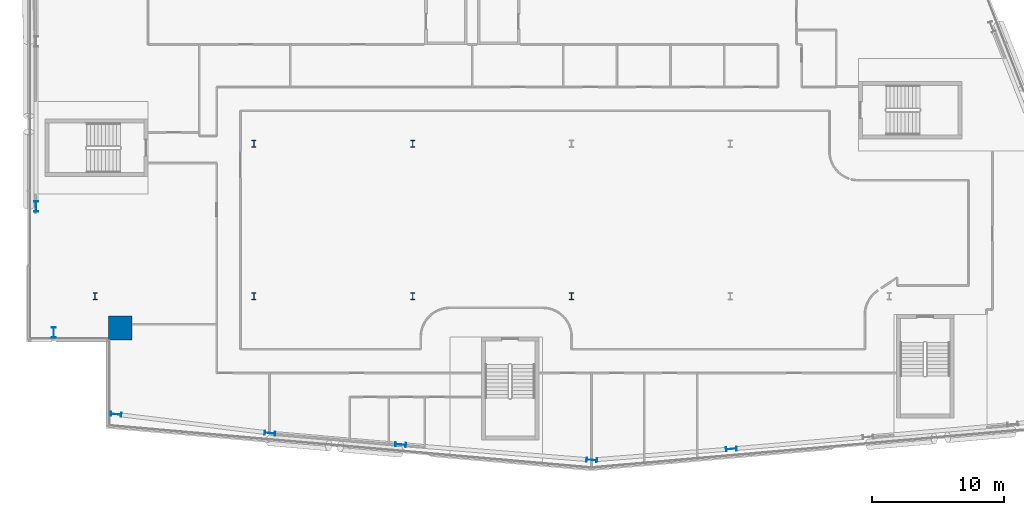
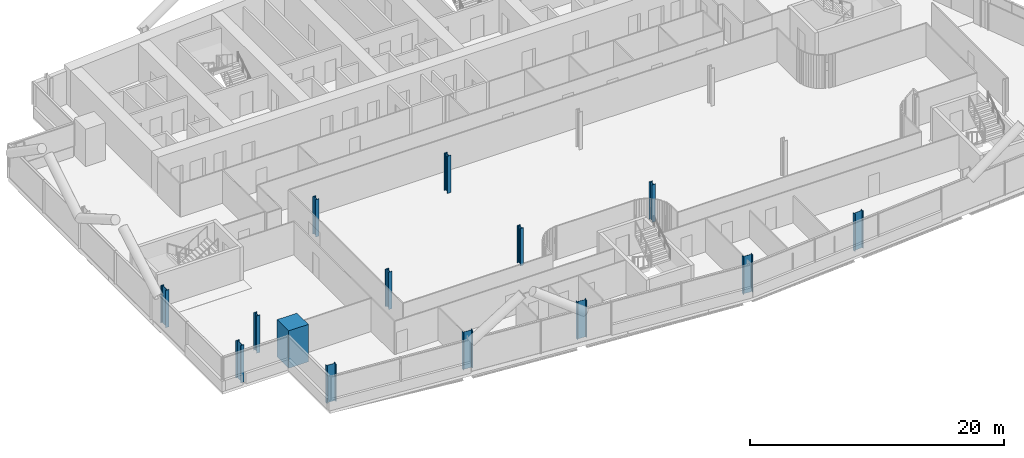
# One storey, part 1 of 30: 14 columns.
"""IFC4 building model written with IfcOpenShell, lengths in metres."""

import ifcopenshell
import ifcopenshell.guid

model = None  # the IFC model being written
_history = None  # IfcOwnerHistory: only IFC2X3 demands one
_inside = {}  # id of a spatial element -> (the spatial element, [elements in it])
_under = {}  # id of a project, library or spatial element -> (it, [spatial elements below it])
_declared = {}  # id of a project -> (the project, [libraries it declares])
_typed = {}  # id of a type object -> (the type object, [elements of that type])
_made_of = {}  # id of a material, layer set ... -> (it, [elements and type objects made of it])


def new_model(schema):
    """Start an empty IFC model of exactly this schema.

    Asked for "IFC4X3", IfcOpenShell would pick the latest addendum, in which some entities
    have other attributes; the version numbers below select the first issue.
    IFC2X3 requires an IfcOwnerHistory on every rooted entity: one is made here for all.
    """
    global model, _history
    if schema == "IFC4X3":
        model = ifcopenshell.file(schema_version=(4, 3, 0, 0))
    else:
        model = ifcopenshell.file(schema=schema)
    _inside.clear()
    _under.clear()
    _declared.clear()
    _typed.clear()
    _made_of.clear()
    _history = None
    if model.schema == "IFC2X3":
        org = make("IfcOrganization", Name="unknown")
        user = make(
            "IfcPersonAndOrganization",
            ThePerson=make("IfcPerson", FamilyName="unknown"),
            TheOrganization=org,
        )
        app = make(
            "IfcApplication",
            ApplicationDeveloper=org,
            Version="unknown",
            ApplicationFullName="unknown",
            ApplicationIdentifier="unknown",
        )
        _history = make(
            "IfcOwnerHistory",
            OwningUser=user,
            OwningApplication=app,
            ChangeAction="ADDED",
            CreationDate=0,
        )
    return model


def make(cls, **values):
    """One entity of the class cls with the attributes given. An attribute that is None is left unset."""
    return model.create_entity(
        cls, **{name: value for name, value in values.items() if value is not None}
    )


def rooted(cls, **values):
    """An entity with a GlobalId (a new one), such as an element, a storey or a relation."""
    return make(cls, GlobalId=ifcopenshell.guid.new(), OwnerHistory=_history, **values)


def si_unit(unit_type, name, prefix=None):
    """IfcSIUnit, for example si_unit("LENGTHUNIT", "METRE", prefix="MILLI")."""
    return make("IfcSIUnit", UnitType=unit_type, Prefix=prefix, Name=name)


def assignment(units):
    """IfcUnitAssignment: the units of a project."""
    return None if units is None else make("IfcUnitAssignment", Units=units)


def point(xyz):
    """IfcCartesianPoint."""
    return None if xyz is None else make("IfcCartesianPoint", Coordinates=xyz)


def direction(xyz):
    """IfcDirection."""
    return None if xyz is None else make("IfcDirection", DirectionRatios=xyz)


def frame(location, z_axis=None, x_axis=None):
    """IfcAxis2Placement3D, a coordinate frame: its origin and axes. An axis left out is left unset."""
    return make(
        "IfcAxis2Placement3D",
        Location=point(location),
        Axis=direction(z_axis),
        RefDirection=direction(x_axis),
    )


def frame_2d(location, x_axis=None):
    """IfcAxis2Placement2D, a coordinate frame in the plane: its origin and x axis."""
    return make(
        "IfcAxis2Placement2D", Location=point(location), RefDirection=direction(x_axis)
    )


def origin():
    """The frame at (0, 0, 0) with its axes left unset."""
    return frame((0.0, 0.0, 0.0))


def origin_2d():
    """The frame at (0, 0) in the plane with its x axis left unset."""
    return frame_2d((0.0, 0.0))


def place(relative_to, where):
    """IfcLocalPlacement: puts the frame where relative to a parent placement (None: the world)."""
    return make(
        "IfcLocalPlacement", PlacementRelTo=relative_to, RelativePlacement=where
    )


def context(
    kind, dimensions, precision=None, world=None, true_north=None, identifier=None
):
    """IfcGeometricRepresentationContext, for example the 3D "Model" context."""
    return make(
        "IfcGeometricRepresentationContext",
        ContextIdentifier=identifier,
        ContextType=kind,
        CoordinateSpaceDimension=dimensions,
        Precision=precision,
        WorldCoordinateSystem=world,
        TrueNorth=true_north,
    )


def subcontext(parent, identifier, kind, view, scale=None):
    """IfcGeometricRepresentationSubContext, for example "Body" below "Model"."""
    return make(
        "IfcGeometricRepresentationSubContext",
        ContextIdentifier=identifier,
        ContextType=kind,
        ParentContext=parent,
        TargetScale=scale,
        TargetView=view,
    )


def project(units=None, contexts=None):
    """IfcProject with its units and contexts."""
    return rooted(
        "IfcProject",
        Name="project",
        RepresentationContexts=contexts,
        UnitsInContext=assignment(units),
    )


def spatial(cls, under=None, at=None, **own):
    """A site, building, storey or space (cls), placed at a placement, below another one or the project."""
    s = rooted(cls, ObjectPlacement=at, **own)
    if under is not None:
        _under.setdefault(under.id(), (under, []))[1].append(s)
    return s


def profile(cls, at=None, kind="AREA", **sizes):
    """A parametric profile (cls). Its sizes go by their IFC names, for example OverallWidth=200.0."""
    return make(cls, ProfileType=kind, Position=at, **sizes)


def rectangle(**sizes):
    """IfcRectangleProfileDef."""
    return profile("IfcRectangleProfileDef", **sizes)


def i_section(**sizes):
    """IfcIShapeProfileDef."""
    return profile("IfcIShapeProfileDef", **sizes)


def extrude(swept, where, along, depth):
    """IfcExtrudedAreaSolid: the profile swept, set in the frame where, extruded along a direction by depth."""
    return make(
        "IfcExtrudedAreaSolid",
        SweptArea=swept,
        Position=where,
        ExtrudedDirection=direction(along),
        Depth=depth,
    )


def shape(context_of_items, identifier, shape_type, items):
    """IfcShapeRepresentation: the items that make up one representation, for example the "Body"."""
    return make(
        "IfcShapeRepresentation",
        ContextOfItems=context_of_items,
        RepresentationIdentifier=identifier,
        RepresentationType=shape_type,
        Items=items,
    )


def material(Name=None, Category=None):
    """IfcMaterial."""
    return make("IfcMaterial", Name=Name, Category=Category)


def material_profile(
    of_material, cross_section, Name=None, Category=None, Priority=None
):
    """IfcMaterialProfile: a cross section and its material."""
    return make(
        "IfcMaterialProfile",
        Name=Name,
        Material=of_material,
        Profile=cross_section,
        Priority=Priority,
        Category=Category,
    )


def profile_set(profiles, Name=None, composite=None):
    """IfcMaterialProfileSet."""
    return make(
        "IfcMaterialProfileSet",
        Name=Name,
        MaterialProfiles=profiles,
        CompositeProfile=composite,
    )


def made_of(thing, what):
    """Note that an element or type object is made of a material, layer set ...; save() writes the relation."""
    if what is not None:
        _made_of.setdefault(what.id(), (what, []))[1].append(thing)
    return thing


def type_object(cls, material=None, **own):
    """A type object (cls), such as IfcWallType, which elements share."""
    return made_of(rooted(cls, **own), material)


def element(
    cls,
    number,
    at=None,
    inside=None,
    cuts=None,
    type_object=None,
    material=None,
    context=None,
    identifier="Body",
    shape_type=None,
    held_by="IfcProductDefinitionShape",
    body=None,
    shapes=None,
    **own,
):
    """One element of the class cls, such as IfcWall. Its Tag is "e" and its number.

    at: its placement. inside: the storey or other place that contains it. cuts: it is an
    opening in that element (IfcRelVoidsElement). A single representation is given by context,
    identifier, shape_type and body (its items); several are given by shapes. held_by: the class
    of the entity that holds the representations. save() writes the other relations.
    """
    e = rooted(cls, Tag="e%d" % number, ObjectPlacement=at, **own)
    if body is not None:
        shapes = [shape(context, identifier, shape_type, body)]
    if shapes is not None:
        e.Representation = make(held_by, Representations=shapes)
    if inside is not None:
        _inside.setdefault(inside.id(), (inside, []))[1].append(e)
    if cuts is not None:
        rooted(
            "IfcRelVoidsElement", RelatingBuildingElement=cuts, RelatedOpeningElement=e
        )
    if type_object is not None:
        _typed.setdefault(type_object.id(), (type_object, []))[1].append(e)
    return made_of(e, material)


def aggregate(whole, parts):
    """IfcRelAggregates: a whole, such as a stair, and the parts it consists of."""
    return rooted("IfcRelAggregates", RelatingObject=whole, RelatedObjects=parts)


def save(model, path):
    """Write the relations noted so far, then the file.

    IfcRelAggregates (storeys below a building ...), IfcRelContainedInSpatialStructure (elements
    in a storey), IfcRelDefinesByType, IfcRelAssociatesMaterial and IfcRelDeclares: one each for
    every whole, place, type object, material and project.
    """
    for whole, parts in _under.values():
        aggregate(whole, parts)
    for where, things in _inside.values():
        rooted(
            "IfcRelContainedInSpatialStructure",
            RelatedElements=things,
            RelatingStructure=where,
        )
    for kind, things in _typed.values():
        rooted("IfcRelDefinesByType", RelatedObjects=things, RelatingType=kind)
    for what, things in _made_of.values():
        rooted("IfcRelAssociatesMaterial", RelatedObjects=things, RelatingMaterial=what)
    for by, libraries in _declared.values():
        rooted("IfcRelDeclares", RelatingContext=by, RelatedDefinitions=libraries)
    model.write(path)


model = new_model("IFC4")

# Units and contexts
model_context = context("Model", 3, precision=1e-05, world=origin(), true_north=direction((0.0, 1.0)))
body_context = subcontext(model_context, "Body", "Model", "MODEL_VIEW")
ifc_project = project(units=[si_unit("LENGTHUNIT", "METRE"), si_unit("AREAUNIT", "SQUARE_METRE"), si_unit("VOLUMEUNIT", "CUBIC_METRE"), si_unit("PLANEANGLEUNIT", "RADIAN"), si_unit("MASSUNIT", "GRAM", prefix="KILO")], contexts=[model_context])

# Site, building, storey
site_placement = place(None, origin())
site = spatial("IfcSite", under=ifc_project, at=site_placement, CompositionType="ELEMENT")
building_placement = place(site_placement, origin())
building = spatial("IfcBuilding", under=site, at=building_placement, Name="Wharfspan Tower", CompositionType="ELEMENT")
storey_placement = place(building_placement, frame((0.0, 0.0, 107.5)))
storey = spatial("IfcBuildingStorey", under=building, at=storey_placement, Name="L24", CompositionType="ELEMENT", Elevation=107.5)

# Columns
ifc_material_1 = material(Name="Steel S355J2", Category="steel")
ifc_material_profile_1 = material_profile(ifc_material_1, i_section(OverallWidth=0.305908, OverallDepth=0.523926, WebThickness=0.020996, FlangeThickness=0.040039, FilletRadius=0.0271, at=origin_2d()))
ifc_profile_set_1 = profile_set([ifc_material_profile_1], Name="Steel S355J2")
column_type_1 = type_object("IfcColumnType", Name="Column HEM 500", PredefinedType="COLUMN", material=ifc_profile_set_1)
for number, where, z_axis, x_axis, name in (
    (1, (12.0, 11.5, 0.0), (0.0, 0.0, 1.0), (1.0, 0.0, 0.0), "Interior column I.1.1 L24"),
    (2, (24.0, 11.5, 0.0), (0.0, 0.0, 1.0), (1.0, 0.0, 0.0), "Interior column I.1.2 L24"),
    (3, (36.0, 11.5, 0.0), (0.0, 0.0, 1.0), (1.0, 0.0, 0.0), "Interior column I.1.3 L24"),
    (4, (48.0, 11.5, 0.0), (0.0, 0.0, 1.0), (1.0, 0.0, 0.0), "Interior column I.1.4 L24"),
    (5, (24.0, 23.0, 0.0), (0.0, 0.0, 1.0), (1.0, 0.0, 0.0), "Interior column I.2.1 L24"),
    (6, (36.0, 23.0, 0.0), (0.0, 0.0, 1.0), (1.0, 0.0, 0.0), "Interior column I.2.2 L24"),
):
    element("IfcColumn", number, at=place(storey_placement, frame(where, z_axis=z_axis, x_axis=x_axis)), inside=storey, type_object=column_type_1, Name=name, PredefinedType="COLUMN", context=body_context, shape_type="SweptSolid", body=[
        extrude(i_section(OverallWidth=0.305908, OverallDepth=0.523926, WebThickness=0.020996, FlangeThickness=0.040039, FilletRadius=0.0271, at=origin_2d()), origin(), (0.0, 0.0, 1.0), 3.600098),
    ])
ifc_material_profile_2 = material_profile(ifc_material_1, i_section(OverallWidth=0.302979, OverallDepth=0.813965, WebThickness=0.020996, FlangeThickness=0.040039, FilletRadius=0.030029, at=origin_2d()))
ifc_profile_set_2 = profile_set([ifc_material_profile_2], Name="Steel S355J2")
column_type_2 = type_object("IfcColumnType", Name="Column HEM 800", PredefinedType="COLUMN", material=ifc_profile_set_2)
for number, where, z_axis, x_axis, name in (
    (7, (13.590576, 2.569336, 0.0), (0.0, 0.0, 1.0), (-0.087156, -0.996198, 0.0), "Perimeter column PS1.1 L24"),
    (8, (25.213623, 1.148682, 0.0), (0.0, 0.0, 1.0), (-0.087156, -0.996198, 0.0), "Perimeter column PS1.2 L24"),
    (9, (35.089111, 0.284668, 0.0), (0.0, 0.0, 1.0), (-0.087156, -0.996198, 0.0), "Perimeter column PS1.3 L24"),
    (10, (49.53125, -0.881592, 0.0), (0.0, 0.0, 1.0), (-0.087156, -0.996198, 0.0), "Perimeter column PS1.4 L24"),
    (11, (60.077881, -0.050781, 0.0), (0.0, 0.0, 1.0), (0.087156, -0.996198, 0.0), "Perimeter column PS2.1 L24"),
    (12, (7.540039, 18.266602, 0.0), (0.0, 0.0, 1.0), (-1.0, 0.0, 0.0), "Perimeter column PW.2 L24"),
    (13, (8.884521, 8.742676, 0.0), (0.0, 0.0, 1.0), (-1.0, 0.0, 0.0), "Perimeter column PW.3 L24"),
):
    element("IfcColumn", number, at=place(storey_placement, frame(where, z_axis=z_axis, x_axis=x_axis)), inside=storey, type_object=column_type_2, Name=name, PredefinedType="COLUMN", context=body_context, shape_type="SweptSolid", body=[
        extrude(i_section(OverallWidth=0.302979, OverallDepth=0.813965, WebThickness=0.020996, FlangeThickness=0.040039, FilletRadius=0.030029, at=origin_2d()), origin(), (0.0, 0.0, 1.0), 3.600098),
    ])
ifc_material_2 = material(Name="Concrete C70/85", Category="concrete")
ifc_material_profile_3 = material_profile(ifc_material_2, rectangle(XDim=1.800049, YDim=1.800049, at=origin_2d()))
ifc_profile_set_3 = profile_set([ifc_material_profile_3], Name="Concrete C70/85")
column_type_3 = type_object("IfcColumnType", Name="Mega column 1800 C70/85", PredefinedType="COLUMN", material=ifc_profile_set_3)
column_placement = place(storey_placement, frame((13.899902, 9.100098, 0.0), z_axis=(0.0, 0.0, 1.0), x_axis=(1.0, 0.0, 0.0)))
element("IfcColumn", 14, at=column_placement, inside=storey, type_object=column_type_3, Name="Mega column MC1 L24", PredefinedType="COLUMN", context=body_context, shape_type="SweptSolid", body=[
    extrude(rectangle(XDim=1.800049, YDim=1.800049, at=origin_2d()), origin(), (0.0, 0.0, 1.0), 3.600098),
])

save(model, "model.ifc")
